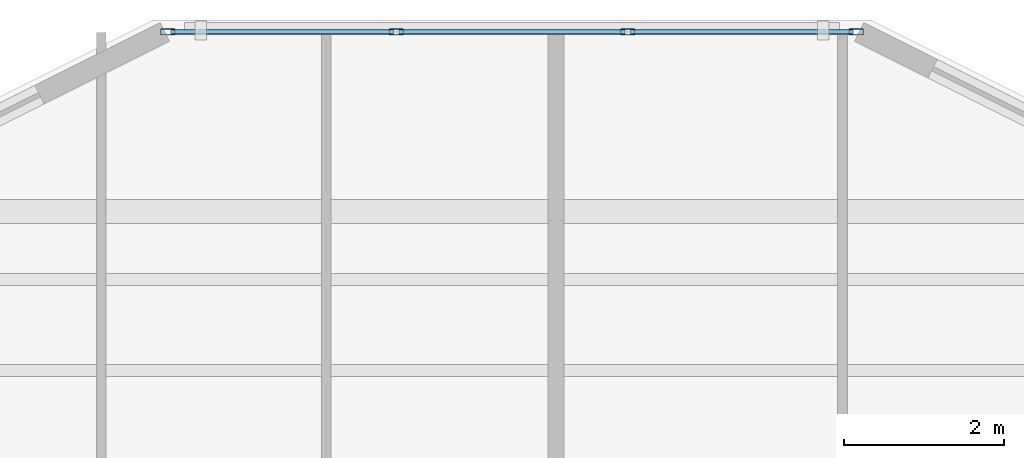
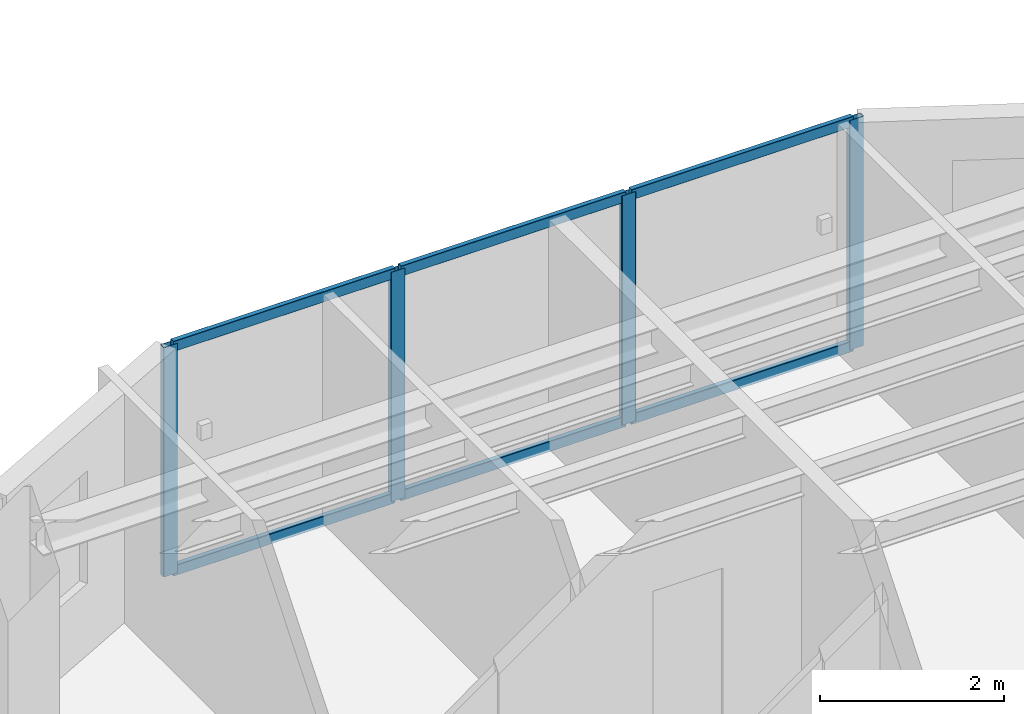
# One storey, part 4 of 15: 10 members, 1 element without a shape of its own.
"""IFC4 building model written with IfcOpenShell, lengths in metres."""

import ifcopenshell
import ifcopenshell.guid

model = None  # the IFC model being written
_history = None  # IfcOwnerHistory: only IFC2X3 demands one
_inside = {}  # id of a spatial element -> (the spatial element, [elements in it])
_under = {}  # id of a project, library or spatial element -> (it, [spatial elements below it])
_declared = {}  # id of a project -> (the project, [libraries it declares])
_typed = {}  # id of a type object -> (the type object, [elements of that type])
_made_of = {}  # id of a material, layer set ... -> (it, [elements and type objects made of it])


def new_model(schema):
    """Start an empty IFC model of exactly this schema.

    Asked for "IFC4X3", IfcOpenShell would pick the latest addendum, in which some entities
    have other attributes; the version numbers below select the first issue.
    IFC2X3 requires an IfcOwnerHistory on every rooted entity: one is made here for all.
    """
    global model, _history
    if schema == "IFC4X3":
        model = ifcopenshell.file(schema_version=(4, 3, 0, 0))
    else:
        model = ifcopenshell.file(schema=schema)
    _inside.clear()
    _under.clear()
    _declared.clear()
    _typed.clear()
    _made_of.clear()
    _history = None
    if model.schema == "IFC2X3":
        org = make("IfcOrganization", Name="unknown")
        user = make(
            "IfcPersonAndOrganization",
            ThePerson=make("IfcPerson", FamilyName="unknown"),
            TheOrganization=org,
        )
        app = make(
            "IfcApplication",
            ApplicationDeveloper=org,
            Version="unknown",
            ApplicationFullName="unknown",
            ApplicationIdentifier="unknown",
        )
        _history = make(
            "IfcOwnerHistory",
            OwningUser=user,
            OwningApplication=app,
            ChangeAction="ADDED",
            CreationDate=0,
        )
    return model


def make(cls, **values):
    """One entity of the class cls with the attributes given. An attribute that is None is left unset."""
    return model.create_entity(
        cls, **{name: value for name, value in values.items() if value is not None}
    )


def rooted(cls, **values):
    """An entity with a GlobalId (a new one), such as an element, a storey or a relation."""
    return make(cls, GlobalId=ifcopenshell.guid.new(), OwnerHistory=_history, **values)


def si_unit(unit_type, name, prefix=None):
    """IfcSIUnit, for example si_unit("LENGTHUNIT", "METRE", prefix="MILLI")."""
    return make("IfcSIUnit", UnitType=unit_type, Prefix=prefix, Name=name)


def assignment(units):
    """IfcUnitAssignment: the units of a project."""
    return None if units is None else make("IfcUnitAssignment", Units=units)


def point(xyz):
    """IfcCartesianPoint."""
    return None if xyz is None else make("IfcCartesianPoint", Coordinates=xyz)


def direction(xyz):
    """IfcDirection."""
    return None if xyz is None else make("IfcDirection", DirectionRatios=xyz)


def frame(location, z_axis=None, x_axis=None):
    """IfcAxis2Placement3D, a coordinate frame: its origin and axes. An axis left out is left unset."""
    return make(
        "IfcAxis2Placement3D",
        Location=point(location),
        Axis=direction(z_axis),
        RefDirection=direction(x_axis),
    )


def frame_2d(location, x_axis=None):
    """IfcAxis2Placement2D, a coordinate frame in the plane: its origin and x axis."""
    return make(
        "IfcAxis2Placement2D", Location=point(location), RefDirection=direction(x_axis)
    )


def origin():
    """The frame at (0, 0, 0) with its axes left unset."""
    return frame((0.0, 0.0, 0.0))


def origin_2d():
    """The frame at (0, 0) in the plane with its x axis left unset."""
    return frame_2d((0.0, 0.0))


def place(relative_to, where):
    """IfcLocalPlacement: puts the frame where relative to a parent placement (None: the world)."""
    return make(
        "IfcLocalPlacement", PlacementRelTo=relative_to, RelativePlacement=where
    )


def context(
    kind, dimensions, precision=None, world=None, true_north=None, identifier=None
):
    """IfcGeometricRepresentationContext, for example the 3D "Model" context."""
    return make(
        "IfcGeometricRepresentationContext",
        ContextIdentifier=identifier,
        ContextType=kind,
        CoordinateSpaceDimension=dimensions,
        Precision=precision,
        WorldCoordinateSystem=world,
        TrueNorth=true_north,
    )


def subcontext(parent, identifier, kind, view, scale=None):
    """IfcGeometricRepresentationSubContext, for example "Body" below "Model"."""
    return make(
        "IfcGeometricRepresentationSubContext",
        ContextIdentifier=identifier,
        ContextType=kind,
        ParentContext=parent,
        TargetScale=scale,
        TargetView=view,
    )


def project(units=None, contexts=None):
    """IfcProject with its units and contexts."""
    return rooted(
        "IfcProject",
        Name="project",
        RepresentationContexts=contexts,
        UnitsInContext=assignment(units),
    )


def spatial(cls, under=None, at=None, **own):
    """A site, building, storey or space (cls), placed at a placement, below another one or the project."""
    s = rooted(cls, ObjectPlacement=at, **own)
    if under is not None:
        _under.setdefault(under.id(), (under, []))[1].append(s)
    return s


def profile(cls, at=None, kind="AREA", **sizes):
    """A parametric profile (cls). Its sizes go by their IFC names, for example OverallWidth=200.0."""
    return make(cls, ProfileType=kind, Position=at, **sizes)


def hollow_rectangle(**sizes):
    """IfcRectangleHollowProfileDef."""
    return profile("IfcRectangleHollowProfileDef", **sizes)


def extrude(swept, where, along, depth):
    """IfcExtrudedAreaSolid: the profile swept, set in the frame where, extruded along a direction by depth."""
    return make(
        "IfcExtrudedAreaSolid",
        SweptArea=swept,
        Position=where,
        ExtrudedDirection=direction(along),
        Depth=depth,
    )


def shape(context_of_items, identifier, shape_type, items):
    """IfcShapeRepresentation: the items that make up one representation, for example the "Body"."""
    return make(
        "IfcShapeRepresentation",
        ContextOfItems=context_of_items,
        RepresentationIdentifier=identifier,
        RepresentationType=shape_type,
        Items=items,
    )


def material(Name=None, Category=None):
    """IfcMaterial."""
    return make("IfcMaterial", Name=Name, Category=Category)


def layer(
    of_material, thickness, ventilated=None, Name=None, Category=None, Priority=None
):
    """IfcMaterialLayer: one layer of a wall or slab, of a material (None: an air gap)."""
    return make(
        "IfcMaterialLayer",
        Material=of_material,
        LayerThickness=thickness,
        IsVentilated=ventilated,
        Name=Name,
        Category=Category,
        Priority=Priority,
    )


def layer_set(layers, Name=None):
    """IfcMaterialLayerSet."""
    return make("IfcMaterialLayerSet", MaterialLayers=layers, LayerSetName=Name)


def material_profile(
    of_material, cross_section, Name=None, Category=None, Priority=None
):
    """IfcMaterialProfile: a cross section and its material."""
    return make(
        "IfcMaterialProfile",
        Name=Name,
        Material=of_material,
        Profile=cross_section,
        Priority=Priority,
        Category=Category,
    )


def profile_set(profiles, Name=None, composite=None):
    """IfcMaterialProfileSet."""
    return make(
        "IfcMaterialProfileSet",
        Name=Name,
        MaterialProfiles=profiles,
        CompositeProfile=composite,
    )


def made_of(thing, what):
    """Note that an element or type object is made of a material, layer set ...; save() writes the relation."""
    if what is not None:
        _made_of.setdefault(what.id(), (what, []))[1].append(thing)
    return thing


def type_object(cls, material=None, **own):
    """A type object (cls), such as IfcWallType, which elements share."""
    return made_of(rooted(cls, **own), material)


def element(
    cls,
    number,
    at=None,
    inside=None,
    cuts=None,
    type_object=None,
    material=None,
    context=None,
    identifier="Body",
    shape_type=None,
    held_by="IfcProductDefinitionShape",
    body=None,
    shapes=None,
    **own,
):
    """One element of the class cls, such as IfcWall. Its Tag is "e" and its number.

    at: its placement. inside: the storey or other place that contains it. cuts: it is an
    opening in that element (IfcRelVoidsElement). A single representation is given by context,
    identifier, shape_type and body (its items); several are given by shapes. held_by: the class
    of the entity that holds the representations. save() writes the other relations.
    """
    e = rooted(cls, Tag="e%d" % number, ObjectPlacement=at, **own)
    if body is not None:
        shapes = [shape(context, identifier, shape_type, body)]
    if shapes is not None:
        e.Representation = make(held_by, Representations=shapes)
    if inside is not None:
        _inside.setdefault(inside.id(), (inside, []))[1].append(e)
    if cuts is not None:
        rooted(
            "IfcRelVoidsElement", RelatingBuildingElement=cuts, RelatedOpeningElement=e
        )
    if type_object is not None:
        _typed.setdefault(type_object.id(), (type_object, []))[1].append(e)
    return made_of(e, material)


def aggregate(whole, parts):
    """IfcRelAggregates: a whole, such as a stair, and the parts it consists of."""
    return rooted("IfcRelAggregates", RelatingObject=whole, RelatedObjects=parts)


def save(model, path):
    """Write the relations noted so far, then the file.

    IfcRelAggregates (storeys below a building ...), IfcRelContainedInSpatialStructure (elements
    in a storey), IfcRelDefinesByType, IfcRelAssociatesMaterial and IfcRelDeclares: one each for
    every whole, place, type object, material and project.
    """
    for whole, parts in _under.values():
        aggregate(whole, parts)
    for where, things in _inside.values():
        rooted(
            "IfcRelContainedInSpatialStructure",
            RelatedElements=things,
            RelatingStructure=where,
        )
    for kind, things in _typed.values():
        rooted("IfcRelDefinesByType", RelatedObjects=things, RelatingType=kind)
    for what, things in _made_of.values():
        rooted("IfcRelAssociatesMaterial", RelatedObjects=things, RelatingMaterial=what)
    for by, libraries in _declared.values():
        rooted("IfcRelDeclares", RelatingContext=by, RelatedDefinitions=libraries)
    model.write(path)


model = new_model("IFC4")

# Units and contexts
model_context = context("Model", 3, precision=1e-05, world=origin(), true_north=direction((0.0, 1.0)))
body_context = subcontext(model_context, "Body", "Model", "MODEL_VIEW")
ifc_project = project(units=[si_unit("LENGTHUNIT", "METRE"), si_unit("AREAUNIT", "SQUARE_METRE"), si_unit("VOLUMEUNIT", "CUBIC_METRE"), si_unit("PLANEANGLEUNIT", "RADIAN"), si_unit("MASSUNIT", "GRAM", prefix="KILO")], contexts=[model_context])

# Site, building, storey
site_placement = place(None, origin())
site = spatial("IfcSite", under=ifc_project, at=site_placement, CompositionType="ELEMENT")
building_placement = place(site_placement, origin())
building = spatial("IfcBuilding", under=site, at=building_placement, Name="Tarnavaz Court Tower", CompositionType="ELEMENT")
storey_placement = place(building_placement, frame((0.0, 0.0, 268.300048828125)))
storey = spatial("IfcBuildingStorey", under=building, at=storey_placement, Name="L73", CompositionType="ELEMENT", Elevation=268.300048828125)

# Curtain wall, members
ifc_material_1 = material(Name="Anodised Aluminium 6063-T6 and Solar Low-E Glazing", Category="aluminium")
ifc_layer = layer(ifc_material_1, 0.159912109375)
ifc_layer_set = layer_set([ifc_layer], Name="Anodised Aluminium 6063-T6 and Solar Low-E Glazing")
curtain_wall_type = type_object("IfcCurtainWallType", Name="CW-SYS-03", PredefinedType="NOTDEFINED", material=ifc_layer_set)
curtain_wall_placement = place(storey_placement, origin())
curtain_wall = element("IfcCurtainWall", 1, at=curtain_wall_placement, inside=storey, type_object=curtain_wall_type, Name="L73 Iwan Prow Curtain Wall 7", PredefinedType="NOTDEFINED")
ifc_material_2 = material(Name="Anodised Aluminium 6063-T6", Category="aluminium")
ifc_material_profile_1 = material_profile(ifc_material_2, hollow_rectangle(XDim=0.074951171875, YDim=0.179931640625, WallThickness=0.0048828125, InnerFilletRadius=0.0048828125, OuterFilletRadius=0.010009765625, at=origin_2d()), Name="ALU RHS 180X75X5")
ifc_profile_set_1 = profile_set([ifc_material_profile_1], Name="Anodised Aluminium 6063-T6")
member_type_1 = type_object("IfcMemberType", Name="CW-MUL-180", PredefinedType="MULLION", material=ifc_profile_set_1)
member_1_placement = place(storey_placement, frame((-4.3125, 22.35009765625, 0.0), z_axis=(0.0, 0.0, 1.0), x_axis=(0.0, 1.0, 0.0)))
member_1 = element("IfcMember", 2, at=member_1_placement, type_object=member_type_1, Name="CW mullion 1", PredefinedType="MULLION", context=body_context, shape_type="SweptSolid", body=[
    extrude(hollow_rectangle(XDim=0.074951171875, YDim=0.179931640625, WallThickness=0.0048828125, InnerFilletRadius=0.0048828125, OuterFilletRadius=0.010009765625, at=origin_2d()), origin(), (0.0, 0.0, 1.0), 3.050048828125),
])
member_2_placement = place(storey_placement, frame((-1.449951171875, 22.35009765625, 0.0), z_axis=(0.0, 0.0, 1.0), x_axis=(0.0, 1.0, 0.0)))
member_2 = element("IfcMember", 3, at=member_2_placement, type_object=member_type_1, Name="CW mullion 2", PredefinedType="MULLION", context=body_context, shape_type="SweptSolid", body=[
    extrude(hollow_rectangle(XDim=0.074951171875, YDim=0.179931640625, WallThickness=0.0048828125, InnerFilletRadius=0.0048828125, OuterFilletRadius=0.010009765625, at=origin_2d()), origin(), (0.0, 0.0, 1.0), 3.050048828125),
])
member_3_placement = place(storey_placement, frame((1.449951171875, 22.35009765625, 0.0), z_axis=(0.0, 0.0, 1.0), x_axis=(0.0, 1.0, 0.0)))
member_3 = element("IfcMember", 4, at=member_3_placement, type_object=member_type_1, Name="CW mullion 3", PredefinedType="MULLION", context=body_context, shape_type="SweptSolid", body=[
    extrude(hollow_rectangle(XDim=0.074951171875, YDim=0.179931640625, WallThickness=0.0048828125, InnerFilletRadius=0.0048828125, OuterFilletRadius=0.010009765625, at=origin_2d()), origin(), (0.0, 0.0, 1.0), 3.050048828125),
])
member_4_placement = place(storey_placement, frame((4.3125, 22.35009765625, 0.0), z_axis=(0.0, 0.0, 1.0), x_axis=(0.0, 1.0, 0.0)))
member_4 = element("IfcMember", 5, at=member_4_placement, type_object=member_type_1, Name="CW mullion 4", PredefinedType="MULLION", context=body_context, shape_type="SweptSolid", body=[
    extrude(hollow_rectangle(XDim=0.074951171875, YDim=0.179931640625, WallThickness=0.0048828125, InnerFilletRadius=0.0048828125, OuterFilletRadius=0.010009765625, at=origin_2d()), origin(), (0.0, 0.0, 1.0), 3.050048828125),
])
ifc_material_profile_2 = material_profile(ifc_material_2, hollow_rectangle(XDim=0.06494140625, YDim=0.139892578125, WallThickness=0.00390625, InnerFilletRadius=0.00390625, OuterFilletRadius=0.008056640625, at=origin_2d()), Name="ALU RHS 140X65X4")
ifc_profile_set_2 = profile_set([ifc_material_profile_2], Name="Anodised Aluminium 6063-T6")
member_type_2 = type_object("IfcMemberType", Name="CW-TRN-140", PredefinedType="USERDEFINED", material=ifc_profile_set_2)
member_5_placement = place(storey_placement, frame((-4.27490234375, 22.35009765625, 0.032470703125), z_axis=(1.0, 0.0, 0.0), x_axis=(0.0, 1.0, 0.0)))
member_5 = element("IfcMember", 6, at=member_5_placement, type_object=member_type_2, Name="CW transom 1.1", ObjectType="TRANSOM", PredefinedType="USERDEFINED", context=body_context, shape_type="SweptSolid", body=[
    extrude(hollow_rectangle(XDim=0.06494140625, YDim=0.139892578125, WallThickness=0.00390625, InnerFilletRadius=0.00390625, OuterFilletRadius=0.008056640625, at=origin_2d()), origin(), (0.0, 0.0, 1.0), 2.787353515625),
])
member_6_placement = place(storey_placement, frame((-4.27490234375, 22.35009765625, 3.017333984375), z_axis=(1.0, 0.0, 0.0), x_axis=(0.0, 1.0, 0.0)))
member_6 = element("IfcMember", 7, at=member_6_placement, type_object=member_type_2, Name="CW transom 1.2", ObjectType="TRANSOM", PredefinedType="USERDEFINED", context=body_context, shape_type="SweptSolid", body=[
    extrude(hollow_rectangle(XDim=0.06494140625, YDim=0.139892578125, WallThickness=0.00390625, InnerFilletRadius=0.00390625, OuterFilletRadius=0.008056640625, at=origin_2d()), origin(), (0.0, 0.0, 1.0), 2.787353515625),
])
member_7_placement = place(storey_placement, frame((-1.41259765625, 22.35009765625, 0.032470703125), z_axis=(1.0, 0.0, 0.0), x_axis=(0.0, 1.0, 0.0)))
member_7 = element("IfcMember", 8, at=member_7_placement, type_object=member_type_2, Name="CW transom 2.1", ObjectType="TRANSOM", PredefinedType="USERDEFINED", context=body_context, shape_type="SweptSolid", body=[
    extrude(hollow_rectangle(XDim=0.06494140625, YDim=0.139892578125, WallThickness=0.00390625, InnerFilletRadius=0.00390625, OuterFilletRadius=0.008056640625, at=origin_2d()), origin(), (0.0, 0.0, 1.0), 2.8251953125),
])
member_8_placement = place(storey_placement, frame((-1.41259765625, 22.35009765625, 3.017333984375), z_axis=(1.0, 0.0, 0.0), x_axis=(0.0, 1.0, 0.0)))
member_8 = element("IfcMember", 9, at=member_8_placement, type_object=member_type_2, Name="CW transom 2.2", ObjectType="TRANSOM", PredefinedType="USERDEFINED", context=body_context, shape_type="SweptSolid", body=[
    extrude(hollow_rectangle(XDim=0.06494140625, YDim=0.139892578125, WallThickness=0.00390625, InnerFilletRadius=0.00390625, OuterFilletRadius=0.008056640625, at=origin_2d()), origin(), (0.0, 0.0, 1.0), 2.8251953125),
])
member_9_placement = place(storey_placement, frame((1.487548828125, 22.35009765625, 0.032470703125), z_axis=(1.0, 0.0, 0.0), x_axis=(0.0, 1.0, 0.0)))
member_9 = element("IfcMember", 10, at=member_9_placement, type_object=member_type_2, Name="CW transom 3.1", ObjectType="TRANSOM", PredefinedType="USERDEFINED", context=body_context, shape_type="SweptSolid", body=[
    extrude(hollow_rectangle(XDim=0.06494140625, YDim=0.139892578125, WallThickness=0.00390625, InnerFilletRadius=0.00390625, OuterFilletRadius=0.008056640625, at=origin_2d()), origin(), (0.0, 0.0, 1.0), 2.787353515625),
])
member_10_placement = place(storey_placement, frame((1.487548828125, 22.35009765625, 3.017333984375), z_axis=(1.0, 0.0, 0.0), x_axis=(0.0, 1.0, 0.0)))
member_10 = element("IfcMember", 11, at=member_10_placement, type_object=member_type_2, Name="CW transom 3.2", ObjectType="TRANSOM", PredefinedType="USERDEFINED", context=body_context, shape_type="SweptSolid", body=[
    extrude(hollow_rectangle(XDim=0.06494140625, YDim=0.139892578125, WallThickness=0.00390625, InnerFilletRadius=0.00390625, OuterFilletRadius=0.008056640625, at=origin_2d()), origin(), (0.0, 0.0, 1.0), 2.787353515625),
])
aggregate(curtain_wall, [member_1, member_2, member_3, member_4, member_5, member_6, member_7, member_8, member_9, member_10])

save(model, "model.ifc")
